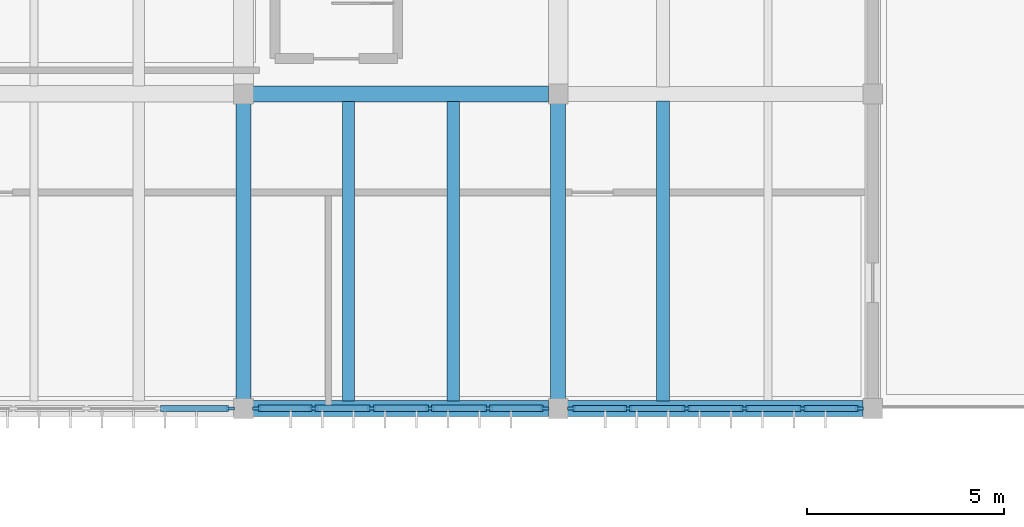
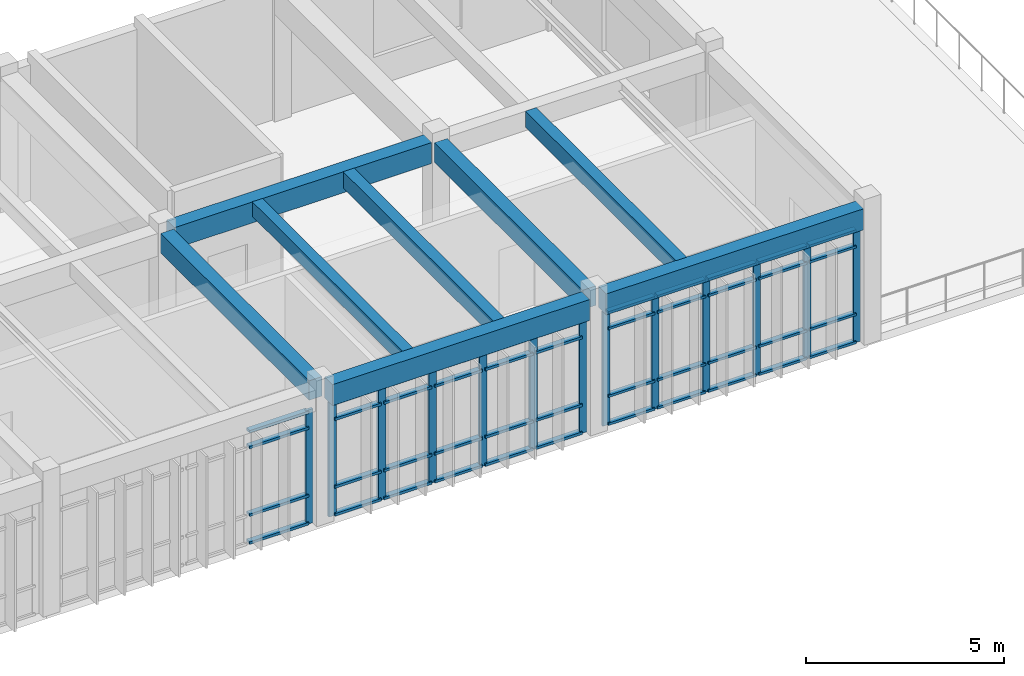
# One storey, part 27 of 72: 57 members, 8 beams, 3 elements without a shape of their own.
"""IFC4 building model written with IfcOpenShell, lengths in metres."""

from ifc_helpers import new_model, si_unit, direction, frame, origin, origin_2d, place, context, subcontext, project, spatial, rectangle, extrude, material, material_profile, profile_set, type_object, element, aggregate, save


model = new_model("IFC4")

# Units and contexts
model_context = context("Model", 3, precision=1e-05, world=origin(), true_north=direction((0.0, 1.0)))
body_context = subcontext(model_context, "Body", "Model", "MODEL_VIEW")
ifc_project = project(units=[si_unit("LENGTHUNIT", "METRE"), si_unit("AREAUNIT", "SQUARE_METRE"), si_unit("VOLUMEUNIT", "CUBIC_METRE"), si_unit("PLANEANGLEUNIT", "RADIAN"), si_unit("MASSUNIT", "GRAM", prefix="KILO")], contexts=[model_context])

# Site, building, storey
site_placement = place(None, origin())
site = spatial("IfcSite", under=ifc_project, at=site_placement, CompositionType="ELEMENT")
building_placement = place(site_placement, origin())
building = spatial("IfcBuilding", under=site, at=building_placement, Name="Tlaxcora Railside Police Headquarters", CompositionType="ELEMENT")
storey_placement = place(building_placement, frame((0.0, 0.0, 13.5)))
storey = spatial("IfcBuildingStorey", under=building, at=storey_placement, Name="L03", CompositionType="ELEMENT", Elevation=13.5)

# Curtain wall, members
ifc_material_1 = material(Name="Thermally broken low-E insulated glazing", Category="glass")
curtain_wall_type_1 = type_object("IfcCurtainWallType", Name="Unitised Curtain Wall Assembly CW-23", PredefinedType="NOTDEFINED", material=ifc_material_1)
curtain_wall_1_placement = place(storey_placement, origin())
curtain_wall_1 = element("IfcCurtainWall", 1, at=curtain_wall_1_placement, inside=storey, type_object=curtain_wall_type_1, Name="V7 L03 curtain wall 188", PredefinedType="NOTDEFINED")
ifc_material_2 = material(Name="Anodised aluminium framing", Category="aluminium")
ifc_material_profile_1 = material_profile(ifc_material_2, rectangle(XDim=0.080078125, YDim=0.219970703125, at=origin_2d()), Name="AL80X220")
ifc_profile_set_1 = profile_set([ifc_material_profile_1], Name="Anodised aluminium framing")
member_type_1 = type_object("IfcMemberType", Name="Curtain Wall Mullion CW-31", PredefinedType="MULLION", material=ifc_profile_set_1)
member_1_placement = place(storey_placement, frame((135.139892578125, 36.0, 0.0), z_axis=(0.0, 0.0, 1.0), x_axis=(0.0, 1.0, 0.0)))
member_1 = element("IfcMember", 2, at=member_1_placement, type_object=member_type_1, Name="CW mullion 1", PredefinedType="MULLION", context=body_context, shape_type="SweptSolid", body=[
    extrude(rectangle(XDim=0.080078125, YDim=0.219970703125, at=origin_2d()), origin(), (0.0, 0.0, 1.0), 3.52001953125),
])
member_2_placement = place(storey_placement, frame((136.580078125, 36.0, 0.0), z_axis=(0.0, 0.0, 1.0), x_axis=(0.0, 1.0, 0.0)))
member_2 = element("IfcMember", 3, at=member_2_placement, type_object=member_type_1, Name="CW mullion 2", PredefinedType="MULLION", context=body_context, shape_type="SweptSolid", body=[
    extrude(rectangle(XDim=0.080078125, YDim=0.219970703125, at=origin_2d()), origin(), (0.0, 0.0, 1.0), 3.52001953125),
])
member_3_placement = place(storey_placement, frame((138.06005859375, 36.0, 0.0), z_axis=(0.0, 0.0, 1.0), x_axis=(0.0, 1.0, 0.0)))
member_3 = element("IfcMember", 4, at=member_3_placement, type_object=member_type_1, Name="CW mullion 3", PredefinedType="MULLION", context=body_context, shape_type="SweptSolid", body=[
    extrude(rectangle(XDim=0.080078125, YDim=0.219970703125, at=origin_2d()), origin(), (0.0, 0.0, 1.0), 3.52001953125),
])
member_4_placement = place(storey_placement, frame((139.5400390625, 36.0, 0.0), z_axis=(0.0, 0.0, 1.0), x_axis=(0.0, 1.0, 0.0)))
member_4 = element("IfcMember", 5, at=member_4_placement, type_object=member_type_1, Name="CW mullion 4", PredefinedType="MULLION", context=body_context, shape_type="SweptSolid", body=[
    extrude(rectangle(XDim=0.080078125, YDim=0.219970703125, at=origin_2d()), origin(), (0.0, 0.0, 1.0), 3.52001953125),
])
member_5_placement = place(storey_placement, frame((141.02001953125, 36.0, 0.0), z_axis=(0.0, 0.0, 1.0), x_axis=(0.0, 1.0, 0.0)))
member_5 = element("IfcMember", 6, at=member_5_placement, type_object=member_type_1, Name="CW mullion 5", PredefinedType="MULLION", context=body_context, shape_type="SweptSolid", body=[
    extrude(rectangle(XDim=0.080078125, YDim=0.219970703125, at=origin_2d()), origin(), (0.0, 0.0, 1.0), 3.52001953125),
])
member_6_placement = place(storey_placement, frame((142.4599609375, 36.0, 0.0), z_axis=(0.0, 0.0, 1.0), x_axis=(0.0, 1.0, 0.0)))
member_6 = element("IfcMember", 7, at=member_6_placement, type_object=member_type_1, Name="CW mullion 6", PredefinedType="MULLION", context=body_context, shape_type="SweptSolid", body=[
    extrude(rectangle(XDim=0.080078125, YDim=0.219970703125, at=origin_2d()), origin(), (0.0, 0.0, 1.0), 3.52001953125),
])

curtain_wall_type_2 = type_object("IfcCurtainWallType", Name="Unitised Curtain Wall Assembly CW-38", PredefinedType="NOTDEFINED", material=ifc_material_1)
curtain_wall_2_placement = place(storey_placement, origin())
curtain_wall_2 = element("IfcCurtainWall", 8, at=curtain_wall_2_placement, inside=storey, type_object=curtain_wall_type_2, Name="V7 L03 curtain wall 189", PredefinedType="NOTDEFINED")
ifc_material_profile_2 = material_profile(ifc_material_2, rectangle(XDim=0.074951171875, YDim=0.205078125, at=origin_2d()), Name="AL75X205")
ifc_profile_set_2 = profile_set([ifc_material_profile_2], Name="Anodised aluminium framing")
member_type_2 = type_object("IfcMemberType", Name="Curtain Wall Mullion CW-32", PredefinedType="MULLION", material=ifc_profile_set_2)
member_7_placement = place(storey_placement, frame((143.137451171875, 36.0, 0.0), z_axis=(0.0, 0.0, 1.0), x_axis=(0.0, 1.0, 0.0)))
member_7 = element("IfcMember", 9, at=member_7_placement, type_object=member_type_2, Name="CW mullion 1", PredefinedType="MULLION", context=body_context, shape_type="SweptSolid", body=[
    extrude(rectangle(XDim=0.074951171875, YDim=0.205078125, at=origin_2d()), origin(), (0.0, 0.0, 1.0), 3.52001953125),
])
member_8_placement = place(storey_placement, frame((144.580078125, 36.0, 0.0), z_axis=(0.0, 0.0, 1.0), x_axis=(0.0, 1.0, 0.0)))
member_8 = element("IfcMember", 10, at=member_8_placement, type_object=member_type_2, Name="CW mullion 2", PredefinedType="MULLION", context=body_context, shape_type="SweptSolid", body=[
    extrude(rectangle(XDim=0.074951171875, YDim=0.205078125, at=origin_2d()), origin(), (0.0, 0.0, 1.0), 3.52001953125),
])
member_9_placement = place(storey_placement, frame((146.06005859375, 36.0, 0.0), z_axis=(0.0, 0.0, 1.0), x_axis=(0.0, 1.0, 0.0)))
member_9 = element("IfcMember", 11, at=member_9_placement, type_object=member_type_2, Name="CW mullion 3", PredefinedType="MULLION", context=body_context, shape_type="SweptSolid", body=[
    extrude(rectangle(XDim=0.074951171875, YDim=0.205078125, at=origin_2d()), origin(), (0.0, 0.0, 1.0), 3.52001953125),
])
member_10_placement = place(storey_placement, frame((147.5400390625, 36.0, 0.0), z_axis=(0.0, 0.0, 1.0), x_axis=(0.0, 1.0, 0.0)))
member_10 = element("IfcMember", 12, at=member_10_placement, type_object=member_type_2, Name="CW mullion 4", PredefinedType="MULLION", context=body_context, shape_type="SweptSolid", body=[
    extrude(rectangle(XDim=0.074951171875, YDim=0.205078125, at=origin_2d()), origin(), (0.0, 0.0, 1.0), 3.52001953125),
])
member_11_placement = place(storey_placement, frame((149.02001953125, 36.0, 0.0), z_axis=(0.0, 0.0, 1.0), x_axis=(0.0, 1.0, 0.0)))
member_11 = element("IfcMember", 13, at=member_11_placement, type_object=member_type_2, Name="CW mullion 5", PredefinedType="MULLION", context=body_context, shape_type="SweptSolid", body=[
    extrude(rectangle(XDim=0.074951171875, YDim=0.205078125, at=origin_2d()), origin(), (0.0, 0.0, 1.0), 3.52001953125),
])
member_12_placement = place(storey_placement, frame((150.46240234375, 36.0, 0.0), z_axis=(0.0, 0.0, 1.0), x_axis=(0.0, 1.0, 0.0)))
member_12 = element("IfcMember", 14, at=member_12_placement, type_object=member_type_2, Name="CW mullion 6", PredefinedType="MULLION", context=body_context, shape_type="SweptSolid", body=[
    extrude(rectangle(XDim=0.074951171875, YDim=0.205078125, at=origin_2d()), origin(), (0.0, 0.0, 1.0), 3.52001953125),
])

# Curtain wall, member
curtain_wall_type_3 = type_object("IfcCurtainWallType", Name="Unitised Curtain Wall Assembly CW-83", PredefinedType="NOTDEFINED", material=ifc_material_1)
curtain_wall_3_placement = place(storey_placement, origin())
curtain_wall_3 = element("IfcCurtainWall", 15, at=curtain_wall_3_placement, inside=storey, type_object=curtain_wall_type_3, Name="V7 L03 curtain wall 187", PredefinedType="NOTDEFINED")
ifc_material_profile_3 = material_profile(ifc_material_2, rectangle(XDim=0.080078125, YDim=0.2099609375, at=origin_2d()), Name="AL80X210")
ifc_profile_set_3 = profile_set([ifc_material_profile_3], Name="Anodised aluminium framing")
member_type_3 = type_object("IfcMemberType", Name="Curtain Wall Mullion CW-76", PredefinedType="MULLION", material=ifc_profile_set_3)
member_13_placement = place(storey_placement, frame((134.4599609375, 36.0, 0.0), z_axis=(0.0, 0.0, 1.0), x_axis=(0.0, 1.0, 0.0)))
member_13 = element("IfcMember", 16, at=member_13_placement, type_object=member_type_3, Name="CW mullion 5", PredefinedType="MULLION", context=body_context, shape_type="SweptSolid", body=[
    extrude(rectangle(XDim=0.080078125, YDim=0.2099609375, at=origin_2d()), origin(), (0.0, 0.0, 1.0), 3.52001953125),
])

# Member
ifc_material_profile_4 = material_profile(ifc_material_2, rectangle(XDim=0.155029296875, YDim=0.074951171875, at=origin_2d()), Name="AL75X155")
ifc_profile_set_4 = profile_set([ifc_material_profile_4], Name="Anodised aluminium framing")
member_type_4 = type_object("IfcMemberType", Name="Curtain Wall Transom CW-30", PredefinedType="USERDEFINED", material=ifc_profile_set_4)
member_14_placement = place(storey_placement, frame((143.175048828125, 36.0, 0.03759765625), z_axis=(1.0, 0.0, 0.0), x_axis=(0.0, 1.0, 0.0)))
member_14 = element("IfcMember", 17, at=member_14_placement, type_object=member_type_4, Name="CW transom 1.1", ObjectType="TRANSOM", PredefinedType="USERDEFINED", context=body_context, shape_type="SweptSolid", body=[
    extrude(rectangle(XDim=0.155029296875, YDim=0.074951171875, at=origin_2d()), origin(), (0.0, 0.0, 1.0), 1.367431640625),
])

member_15_placement = place(storey_placement, frame((143.175048828125, 36.0, 0.89990234375), z_axis=(1.0, 0.0, 0.0), x_axis=(0.0, 1.0, 0.0)))
member_15 = element("IfcMember", 18, at=member_15_placement, type_object=member_type_4, Name="CW transom 1.2", ObjectType="TRANSOM", PredefinedType="USERDEFINED", context=body_context, shape_type="SweptSolid", body=[
    extrude(rectangle(XDim=0.155029296875, YDim=0.074951171875, at=origin_2d()), origin(), (0.0, 0.0, 1.0), 1.367431640625),
])

member_16_placement = place(storey_placement, frame((143.175048828125, 36.0, 2.989990234375), z_axis=(1.0, 0.0, 0.0), x_axis=(0.0, 1.0, 0.0)))
member_16 = element("IfcMember", 19, at=member_16_placement, type_object=member_type_4, Name="CW transom 1.3", ObjectType="TRANSOM", PredefinedType="USERDEFINED", context=body_context, shape_type="SweptSolid", body=[
    extrude(rectangle(XDim=0.155029296875, YDim=0.074951171875, at=origin_2d()), origin(), (0.0, 0.0, 1.0), 1.367431640625),
])

member_17_placement = place(storey_placement, frame((143.175048828125, 36.0, 3.482421875), z_axis=(1.0, 0.0, 0.0), x_axis=(0.0, 1.0, 0.0)))
member_17 = element("IfcMember", 20, at=member_17_placement, type_object=member_type_4, Name="CW transom 1.4", ObjectType="TRANSOM", PredefinedType="USERDEFINED", context=body_context, shape_type="SweptSolid", body=[
    extrude(rectangle(XDim=0.155029296875, YDim=0.074951171875, at=origin_2d()), origin(), (0.0, 0.0, 1.0), 1.367431640625),
])

member_18_placement = place(storey_placement, frame((144.617431640625, 36.0, 0.03759765625), z_axis=(1.0, 0.0, 0.0), x_axis=(0.0, 1.0, 0.0)))
member_18 = element("IfcMember", 21, at=member_18_placement, type_object=member_type_4, Name="CW transom 2.1", ObjectType="TRANSOM", PredefinedType="USERDEFINED", context=body_context, shape_type="SweptSolid", body=[
    extrude(rectangle(XDim=0.155029296875, YDim=0.074951171875, at=origin_2d()), origin(), (0.0, 0.0, 1.0), 1.405029296875),
])

member_19_placement = place(storey_placement, frame((144.617431640625, 36.0, 0.89990234375), z_axis=(1.0, 0.0, 0.0), x_axis=(0.0, 1.0, 0.0)))
member_19 = element("IfcMember", 22, at=member_19_placement, type_object=member_type_4, Name="CW transom 2.2", ObjectType="TRANSOM", PredefinedType="USERDEFINED", context=body_context, shape_type="SweptSolid", body=[
    extrude(rectangle(XDim=0.155029296875, YDim=0.074951171875, at=origin_2d()), origin(), (0.0, 0.0, 1.0), 1.405029296875),
])

member_20_placement = place(storey_placement, frame((144.617431640625, 36.0, 2.989990234375), z_axis=(1.0, 0.0, 0.0), x_axis=(0.0, 1.0, 0.0)))
member_20 = element("IfcMember", 23, at=member_20_placement, type_object=member_type_4, Name="CW transom 2.3", ObjectType="TRANSOM", PredefinedType="USERDEFINED", context=body_context, shape_type="SweptSolid", body=[
    extrude(rectangle(XDim=0.155029296875, YDim=0.074951171875, at=origin_2d()), origin(), (0.0, 0.0, 1.0), 1.405029296875),
])

member_21_placement = place(storey_placement, frame((144.617431640625, 36.0, 3.482421875), z_axis=(1.0, 0.0, 0.0), x_axis=(0.0, 1.0, 0.0)))
member_21 = element("IfcMember", 24, at=member_21_placement, type_object=member_type_4, Name="CW transom 2.4", ObjectType="TRANSOM", PredefinedType="USERDEFINED", context=body_context, shape_type="SweptSolid", body=[
    extrude(rectangle(XDim=0.155029296875, YDim=0.074951171875, at=origin_2d()), origin(), (0.0, 0.0, 1.0), 1.405029296875),
])

member_22_placement = place(storey_placement, frame((146.097412109375, 36.0, 0.03759765625), z_axis=(1.0, 0.0, 0.0), x_axis=(0.0, 1.0, 0.0)))
member_22 = element("IfcMember", 25, at=member_22_placement, type_object=member_type_4, Name="CW transom 3.1", ObjectType="TRANSOM", PredefinedType="USERDEFINED", context=body_context, shape_type="SweptSolid", body=[
    extrude(rectangle(XDim=0.155029296875, YDim=0.074951171875, at=origin_2d()), origin(), (0.0, 0.0, 1.0), 1.405029296875),
])

member_23_placement = place(storey_placement, frame((146.097412109375, 36.0, 0.89990234375), z_axis=(1.0, 0.0, 0.0), x_axis=(0.0, 1.0, 0.0)))
member_23 = element("IfcMember", 26, at=member_23_placement, type_object=member_type_4, Name="CW transom 3.2", ObjectType="TRANSOM", PredefinedType="USERDEFINED", context=body_context, shape_type="SweptSolid", body=[
    extrude(rectangle(XDim=0.155029296875, YDim=0.074951171875, at=origin_2d()), origin(), (0.0, 0.0, 1.0), 1.405029296875),
])

member_24_placement = place(storey_placement, frame((146.097412109375, 36.0, 2.989990234375), z_axis=(1.0, 0.0, 0.0), x_axis=(0.0, 1.0, 0.0)))
member_24 = element("IfcMember", 27, at=member_24_placement, type_object=member_type_4, Name="CW transom 3.3", ObjectType="TRANSOM", PredefinedType="USERDEFINED", context=body_context, shape_type="SweptSolid", body=[
    extrude(rectangle(XDim=0.155029296875, YDim=0.074951171875, at=origin_2d()), origin(), (0.0, 0.0, 1.0), 1.405029296875),
])

member_25_placement = place(storey_placement, frame((146.097412109375, 36.0, 3.482421875), z_axis=(1.0, 0.0, 0.0), x_axis=(0.0, 1.0, 0.0)))
member_25 = element("IfcMember", 28, at=member_25_placement, type_object=member_type_4, Name="CW transom 3.4", ObjectType="TRANSOM", PredefinedType="USERDEFINED", context=body_context, shape_type="SweptSolid", body=[
    extrude(rectangle(XDim=0.155029296875, YDim=0.074951171875, at=origin_2d()), origin(), (0.0, 0.0, 1.0), 1.405029296875),
])

member_26_placement = place(storey_placement, frame((147.577392578125, 36.0, 0.03759765625), z_axis=(1.0, 0.0, 0.0), x_axis=(0.0, 1.0, 0.0)))
member_26 = element("IfcMember", 29, at=member_26_placement, type_object=member_type_4, Name="CW transom 4.1", ObjectType="TRANSOM", PredefinedType="USERDEFINED", context=body_context, shape_type="SweptSolid", body=[
    extrude(rectangle(XDim=0.155029296875, YDim=0.074951171875, at=origin_2d()), origin(), (0.0, 0.0, 1.0), 1.405029296875),
])

member_27_placement = place(storey_placement, frame((147.577392578125, 36.0, 0.89990234375), z_axis=(1.0, 0.0, 0.0), x_axis=(0.0, 1.0, 0.0)))
member_27 = element("IfcMember", 30, at=member_27_placement, type_object=member_type_4, Name="CW transom 4.2", ObjectType="TRANSOM", PredefinedType="USERDEFINED", context=body_context, shape_type="SweptSolid", body=[
    extrude(rectangle(XDim=0.155029296875, YDim=0.074951171875, at=origin_2d()), origin(), (0.0, 0.0, 1.0), 1.405029296875),
])

member_28_placement = place(storey_placement, frame((147.577392578125, 36.0, 2.989990234375), z_axis=(1.0, 0.0, 0.0), x_axis=(0.0, 1.0, 0.0)))
member_28 = element("IfcMember", 31, at=member_28_placement, type_object=member_type_4, Name="CW transom 4.3", ObjectType="TRANSOM", PredefinedType="USERDEFINED", context=body_context, shape_type="SweptSolid", body=[
    extrude(rectangle(XDim=0.155029296875, YDim=0.074951171875, at=origin_2d()), origin(), (0.0, 0.0, 1.0), 1.405029296875),
])

member_29_placement = place(storey_placement, frame((147.577392578125, 36.0, 3.482421875), z_axis=(1.0, 0.0, 0.0), x_axis=(0.0, 1.0, 0.0)))
member_29 = element("IfcMember", 32, at=member_29_placement, type_object=member_type_4, Name="CW transom 4.4", ObjectType="TRANSOM", PredefinedType="USERDEFINED", context=body_context, shape_type="SweptSolid", body=[
    extrude(rectangle(XDim=0.155029296875, YDim=0.074951171875, at=origin_2d()), origin(), (0.0, 0.0, 1.0), 1.405029296875),
])

member_30_placement = place(storey_placement, frame((149.0576171875, 36.0, 0.03759765625), z_axis=(1.0, 0.0, 0.0), x_axis=(0.0, 1.0, 0.0)))
member_30 = element("IfcMember", 33, at=member_30_placement, type_object=member_type_4, Name="CW transom 5.1", ObjectType="TRANSOM", PredefinedType="USERDEFINED", context=body_context, shape_type="SweptSolid", body=[
    extrude(rectangle(XDim=0.155029296875, YDim=0.074951171875, at=origin_2d()), origin(), (0.0, 0.0, 1.0), 1.367431640625),
])

member_31_placement = place(storey_placement, frame((149.0576171875, 36.0, 0.89990234375), z_axis=(1.0, 0.0, 0.0), x_axis=(0.0, 1.0, 0.0)))
member_31 = element("IfcMember", 34, at=member_31_placement, type_object=member_type_4, Name="CW transom 5.2", ObjectType="TRANSOM", PredefinedType="USERDEFINED", context=body_context, shape_type="SweptSolid", body=[
    extrude(rectangle(XDim=0.155029296875, YDim=0.074951171875, at=origin_2d()), origin(), (0.0, 0.0, 1.0), 1.367431640625),
])

member_32_placement = place(storey_placement, frame((149.0576171875, 36.0, 2.989990234375), z_axis=(1.0, 0.0, 0.0), x_axis=(0.0, 1.0, 0.0)))
member_32 = element("IfcMember", 35, at=member_32_placement, type_object=member_type_4, Name="CW transom 5.3", ObjectType="TRANSOM", PredefinedType="USERDEFINED", context=body_context, shape_type="SweptSolid", body=[
    extrude(rectangle(XDim=0.155029296875, YDim=0.074951171875, at=origin_2d()), origin(), (0.0, 0.0, 1.0), 1.367431640625),
])

member_33_placement = place(storey_placement, frame((149.0576171875, 36.0, 3.482421875), z_axis=(1.0, 0.0, 0.0), x_axis=(0.0, 1.0, 0.0)))
member_33 = element("IfcMember", 36, at=member_33_placement, type_object=member_type_4, Name="CW transom 5.4", ObjectType="TRANSOM", PredefinedType="USERDEFINED", context=body_context, shape_type="SweptSolid", body=[
    extrude(rectangle(XDim=0.155029296875, YDim=0.074951171875, at=origin_2d()), origin(), (0.0, 0.0, 1.0), 1.367431640625),
])

aggregate(curtain_wall_2, [member_7, member_8, member_9, member_10, member_11, member_12, member_14, member_15, member_16, member_17, member_18, member_19, member_20, member_21, member_22, member_23, member_24, member_25, member_26, member_27, member_28, member_29, member_30, member_31, member_32, member_33])

ifc_material_profile_5 = material_profile(ifc_material_2, rectangle(XDim=0.1650390625, YDim=0.080078125, at=origin_2d()), Name="AL80X165")
ifc_profile_set_5 = profile_set([ifc_material_profile_5], Name="Anodised aluminium framing")
member_type_5 = type_object("IfcMemberType", Name="Curtain Wall Transom CW-62", PredefinedType="USERDEFINED", material=ifc_profile_set_5)
member_34_placement = place(storey_placement, frame((135.179931640625, 36.0, 0.0400390625), z_axis=(1.0, 0.0, 0.0), x_axis=(0.0, 1.0, 0.0)))
member_34 = element("IfcMember", 37, at=member_34_placement, type_object=member_type_5, Name="CW transom 1.1", ObjectType="TRANSOM", PredefinedType="USERDEFINED", context=body_context, shape_type="SweptSolid", body=[
    extrude(rectangle(XDim=0.1650390625, YDim=0.080078125, at=origin_2d()), origin(), (0.0, 0.0, 1.0), 1.360107421875),
])

member_35_placement = place(storey_placement, frame((135.179931640625, 36.0, 0.89990234375), z_axis=(1.0, 0.0, 0.0), x_axis=(0.0, 1.0, 0.0)))
member_35 = element("IfcMember", 38, at=member_35_placement, type_object=member_type_5, Name="CW transom 1.2", ObjectType="TRANSOM", PredefinedType="USERDEFINED", context=body_context, shape_type="SweptSolid", body=[
    extrude(rectangle(XDim=0.1650390625, YDim=0.080078125, at=origin_2d()), origin(), (0.0, 0.0, 1.0), 1.360107421875),
])

member_36_placement = place(storey_placement, frame((135.179931640625, 36.0, 2.989990234375), z_axis=(1.0, 0.0, 0.0), x_axis=(0.0, 1.0, 0.0)))
member_36 = element("IfcMember", 39, at=member_36_placement, type_object=member_type_5, Name="CW transom 1.3", ObjectType="TRANSOM", PredefinedType="USERDEFINED", context=body_context, shape_type="SweptSolid", body=[
    extrude(rectangle(XDim=0.1650390625, YDim=0.080078125, at=origin_2d()), origin(), (0.0, 0.0, 1.0), 1.360107421875),
])

member_37_placement = place(storey_placement, frame((135.179931640625, 36.0, 3.47998046875), z_axis=(1.0, 0.0, 0.0), x_axis=(0.0, 1.0, 0.0)))
member_37 = element("IfcMember", 40, at=member_37_placement, type_object=member_type_5, Name="CW transom 1.4", ObjectType="TRANSOM", PredefinedType="USERDEFINED", context=body_context, shape_type="SweptSolid", body=[
    extrude(rectangle(XDim=0.1650390625, YDim=0.080078125, at=origin_2d()), origin(), (0.0, 0.0, 1.0), 1.360107421875),
])

member_38_placement = place(storey_placement, frame((136.6201171875, 36.0, 0.0400390625), z_axis=(1.0, 0.0, 0.0), x_axis=(0.0, 1.0, 0.0)))
member_38 = element("IfcMember", 41, at=member_38_placement, type_object=member_type_5, Name="CW transom 2.1", ObjectType="TRANSOM", PredefinedType="USERDEFINED", context=body_context, shape_type="SweptSolid", body=[
    extrude(rectangle(XDim=0.1650390625, YDim=0.080078125, at=origin_2d()), origin(), (0.0, 0.0, 1.0), 1.39990234375),
])

member_39_placement = place(storey_placement, frame((136.6201171875, 36.0, 0.89990234375), z_axis=(1.0, 0.0, 0.0), x_axis=(0.0, 1.0, 0.0)))
member_39 = element("IfcMember", 42, at=member_39_placement, type_object=member_type_5, Name="CW transom 2.2", ObjectType="TRANSOM", PredefinedType="USERDEFINED", context=body_context, shape_type="SweptSolid", body=[
    extrude(rectangle(XDim=0.1650390625, YDim=0.080078125, at=origin_2d()), origin(), (0.0, 0.0, 1.0), 1.39990234375),
])

member_40_placement = place(storey_placement, frame((136.6201171875, 36.0, 2.989990234375), z_axis=(1.0, 0.0, 0.0), x_axis=(0.0, 1.0, 0.0)))
member_40 = element("IfcMember", 43, at=member_40_placement, type_object=member_type_5, Name="CW transom 2.3", ObjectType="TRANSOM", PredefinedType="USERDEFINED", context=body_context, shape_type="SweptSolid", body=[
    extrude(rectangle(XDim=0.1650390625, YDim=0.080078125, at=origin_2d()), origin(), (0.0, 0.0, 1.0), 1.39990234375),
])

member_41_placement = place(storey_placement, frame((136.6201171875, 36.0, 3.47998046875), z_axis=(1.0, 0.0, 0.0), x_axis=(0.0, 1.0, 0.0)))
member_41 = element("IfcMember", 44, at=member_41_placement, type_object=member_type_5, Name="CW transom 2.4", ObjectType="TRANSOM", PredefinedType="USERDEFINED", context=body_context, shape_type="SweptSolid", body=[
    extrude(rectangle(XDim=0.1650390625, YDim=0.080078125, at=origin_2d()), origin(), (0.0, 0.0, 1.0), 1.39990234375),
])

member_42_placement = place(storey_placement, frame((138.10009765625, 36.0, 0.0400390625), z_axis=(1.0, 0.0, 0.0), x_axis=(0.0, 1.0, 0.0)))
member_42 = element("IfcMember", 45, at=member_42_placement, type_object=member_type_5, Name="CW transom 3.1", ObjectType="TRANSOM", PredefinedType="USERDEFINED", context=body_context, shape_type="SweptSolid", body=[
    extrude(rectangle(XDim=0.1650390625, YDim=0.080078125, at=origin_2d()), origin(), (0.0, 0.0, 1.0), 1.39990234375),
])

member_43_placement = place(storey_placement, frame((138.10009765625, 36.0, 0.89990234375), z_axis=(1.0, 0.0, 0.0), x_axis=(0.0, 1.0, 0.0)))
member_43 = element("IfcMember", 46, at=member_43_placement, type_object=member_type_5, Name="CW transom 3.2", ObjectType="TRANSOM", PredefinedType="USERDEFINED", context=body_context, shape_type="SweptSolid", body=[
    extrude(rectangle(XDim=0.1650390625, YDim=0.080078125, at=origin_2d()), origin(), (0.0, 0.0, 1.0), 1.39990234375),
])

member_44_placement = place(storey_placement, frame((138.10009765625, 36.0, 2.989990234375), z_axis=(1.0, 0.0, 0.0), x_axis=(0.0, 1.0, 0.0)))
member_44 = element("IfcMember", 47, at=member_44_placement, type_object=member_type_5, Name="CW transom 3.3", ObjectType="TRANSOM", PredefinedType="USERDEFINED", context=body_context, shape_type="SweptSolid", body=[
    extrude(rectangle(XDim=0.1650390625, YDim=0.080078125, at=origin_2d()), origin(), (0.0, 0.0, 1.0), 1.39990234375),
])

member_45_placement = place(storey_placement, frame((138.10009765625, 36.0, 3.47998046875), z_axis=(1.0, 0.0, 0.0), x_axis=(0.0, 1.0, 0.0)))
member_45 = element("IfcMember", 48, at=member_45_placement, type_object=member_type_5, Name="CW transom 3.4", ObjectType="TRANSOM", PredefinedType="USERDEFINED", context=body_context, shape_type="SweptSolid", body=[
    extrude(rectangle(XDim=0.1650390625, YDim=0.080078125, at=origin_2d()), origin(), (0.0, 0.0, 1.0), 1.39990234375),
])

member_46_placement = place(storey_placement, frame((139.580078125, 36.0, 0.0400390625), z_axis=(1.0, 0.0, 0.0), x_axis=(0.0, 1.0, 0.0)))
member_46 = element("IfcMember", 49, at=member_46_placement, type_object=member_type_5, Name="CW transom 4.1", ObjectType="TRANSOM", PredefinedType="USERDEFINED", context=body_context, shape_type="SweptSolid", body=[
    extrude(rectangle(XDim=0.1650390625, YDim=0.080078125, at=origin_2d()), origin(), (0.0, 0.0, 1.0), 1.39990234375),
])

member_47_placement = place(storey_placement, frame((139.580078125, 36.0, 0.89990234375), z_axis=(1.0, 0.0, 0.0), x_axis=(0.0, 1.0, 0.0)))
member_47 = element("IfcMember", 50, at=member_47_placement, type_object=member_type_5, Name="CW transom 4.2", ObjectType="TRANSOM", PredefinedType="USERDEFINED", context=body_context, shape_type="SweptSolid", body=[
    extrude(rectangle(XDim=0.1650390625, YDim=0.080078125, at=origin_2d()), origin(), (0.0, 0.0, 1.0), 1.39990234375),
])

member_48_placement = place(storey_placement, frame((139.580078125, 36.0, 2.989990234375), z_axis=(1.0, 0.0, 0.0), x_axis=(0.0, 1.0, 0.0)))
member_48 = element("IfcMember", 51, at=member_48_placement, type_object=member_type_5, Name="CW transom 4.3", ObjectType="TRANSOM", PredefinedType="USERDEFINED", context=body_context, shape_type="SweptSolid", body=[
    extrude(rectangle(XDim=0.1650390625, YDim=0.080078125, at=origin_2d()), origin(), (0.0, 0.0, 1.0), 1.39990234375),
])

member_49_placement = place(storey_placement, frame((139.580078125, 36.0, 3.47998046875), z_axis=(1.0, 0.0, 0.0), x_axis=(0.0, 1.0, 0.0)))
member_49 = element("IfcMember", 52, at=member_49_placement, type_object=member_type_5, Name="CW transom 4.4", ObjectType="TRANSOM", PredefinedType="USERDEFINED", context=body_context, shape_type="SweptSolid", body=[
    extrude(rectangle(XDim=0.1650390625, YDim=0.080078125, at=origin_2d()), origin(), (0.0, 0.0, 1.0), 1.39990234375),
])

member_50_placement = place(storey_placement, frame((141.06005859375, 36.0, 0.0400390625), z_axis=(1.0, 0.0, 0.0), x_axis=(0.0, 1.0, 0.0)))
member_50 = element("IfcMember", 53, at=member_50_placement, type_object=member_type_5, Name="CW transom 5.1", ObjectType="TRANSOM", PredefinedType="USERDEFINED", context=body_context, shape_type="SweptSolid", body=[
    extrude(rectangle(XDim=0.1650390625, YDim=0.080078125, at=origin_2d()), origin(), (0.0, 0.0, 1.0), 1.35986328125),
])

member_51_placement = place(storey_placement, frame((141.06005859375, 36.0, 0.89990234375), z_axis=(1.0, 0.0, 0.0), x_axis=(0.0, 1.0, 0.0)))
member_51 = element("IfcMember", 54, at=member_51_placement, type_object=member_type_5, Name="CW transom 5.2", ObjectType="TRANSOM", PredefinedType="USERDEFINED", context=body_context, shape_type="SweptSolid", body=[
    extrude(rectangle(XDim=0.1650390625, YDim=0.080078125, at=origin_2d()), origin(), (0.0, 0.0, 1.0), 1.35986328125),
])

member_52_placement = place(storey_placement, frame((141.06005859375, 36.0, 2.989990234375), z_axis=(1.0, 0.0, 0.0), x_axis=(0.0, 1.0, 0.0)))
member_52 = element("IfcMember", 55, at=member_52_placement, type_object=member_type_5, Name="CW transom 5.3", ObjectType="TRANSOM", PredefinedType="USERDEFINED", context=body_context, shape_type="SweptSolid", body=[
    extrude(rectangle(XDim=0.1650390625, YDim=0.080078125, at=origin_2d()), origin(), (0.0, 0.0, 1.0), 1.35986328125),
])

member_53_placement = place(storey_placement, frame((141.06005859375, 36.0, 3.47998046875), z_axis=(1.0, 0.0, 0.0), x_axis=(0.0, 1.0, 0.0)))
member_53 = element("IfcMember", 56, at=member_53_placement, type_object=member_type_5, Name="CW transom 5.4", ObjectType="TRANSOM", PredefinedType="USERDEFINED", context=body_context, shape_type="SweptSolid", body=[
    extrude(rectangle(XDim=0.1650390625, YDim=0.080078125, at=origin_2d()), origin(), (0.0, 0.0, 1.0), 1.35986328125),
])

aggregate(curtain_wall_1, [member_1, member_2, member_3, member_4, member_5, member_6, member_34, member_35, member_36, member_37, member_38, member_39, member_40, member_41, member_42, member_43, member_44, member_45, member_46, member_47, member_48, member_49, member_50, member_51, member_52, member_53])

ifc_material_profile_6 = material_profile(ifc_material_2, rectangle(XDim=0.159912109375, YDim=0.080078125, at=origin_2d()), Name="AL80X160")
ifc_profile_set_6 = profile_set([ifc_material_profile_6], Name="Anodised aluminium framing")
member_type_6 = type_object("IfcMemberType", Name="Curtain Wall Transom CW-82", PredefinedType="USERDEFINED", material=ifc_profile_set_6)
member_54_placement = place(storey_placement, frame((132.68994140625, 36.0, 0.0400390625), z_axis=(1.0, 0.0, 0.0), x_axis=(0.0, 1.0, 0.0)))
member_54 = element("IfcMember", 57, at=member_54_placement, type_object=member_type_6, Name="CW transom 4.1", ObjectType="TRANSOM", PredefinedType="USERDEFINED", context=body_context, shape_type="SweptSolid", body=[
    extrude(rectangle(XDim=0.159912109375, YDim=0.080078125, at=origin_2d()), origin(), (0.0, 0.0, 1.0), 1.72998046875),
])

member_55_placement = place(storey_placement, frame((132.68994140625, 36.0, 0.89990234375), z_axis=(1.0, 0.0, 0.0), x_axis=(0.0, 1.0, 0.0)))
member_55 = element("IfcMember", 58, at=member_55_placement, type_object=member_type_6, Name="CW transom 4.2", ObjectType="TRANSOM", PredefinedType="USERDEFINED", context=body_context, shape_type="SweptSolid", body=[
    extrude(rectangle(XDim=0.159912109375, YDim=0.080078125, at=origin_2d()), origin(), (0.0, 0.0, 1.0), 1.72998046875),
])

member_56_placement = place(storey_placement, frame((132.68994140625, 36.0, 2.989990234375), z_axis=(1.0, 0.0, 0.0), x_axis=(0.0, 1.0, 0.0)))
member_56 = element("IfcMember", 59, at=member_56_placement, type_object=member_type_6, Name="CW transom 4.3", ObjectType="TRANSOM", PredefinedType="USERDEFINED", context=body_context, shape_type="SweptSolid", body=[
    extrude(rectangle(XDim=0.159912109375, YDim=0.080078125, at=origin_2d()), origin(), (0.0, 0.0, 1.0), 1.72998046875),
])

member_57_placement = place(storey_placement, frame((132.68994140625, 36.0, 3.47998046875), z_axis=(1.0, 0.0, 0.0), x_axis=(0.0, 1.0, 0.0)))
member_57 = element("IfcMember", 60, at=member_57_placement, type_object=member_type_6, Name="CW transom 4.4", ObjectType="TRANSOM", PredefinedType="USERDEFINED", context=body_context, shape_type="SweptSolid", body=[
    extrude(rectangle(XDim=0.159912109375, YDim=0.080078125, at=origin_2d()), origin(), (0.0, 0.0, 1.0), 1.72998046875),
])

aggregate(curtain_wall_3, [member_13, member_54, member_55, member_56, member_57])

# Beams
ifc_material_3 = material(Name="Concrete C40/50", Category="concrete")
ifc_material_profile_7 = material_profile(ifc_material_3, rectangle(XDim=0.39990234375, YDim=0.64990234375, at=origin_2d()), Name="RC400X650")
ifc_profile_set_7 = profile_set([ifc_material_profile_7], Name="Concrete C40/50")
beam_type_1 = type_object("IfcBeamType", Name="Perimeter Spandrel Beam BM-46", PredefinedType="SPANDREL", material=ifc_profile_set_7)
for number, where, z_axis, x_axis, name in (
    (61, (135.0400390625, 36.0, 3.864990234375), (1.0, 0.0, 0.0), (0.0, 1.0, 0.0), "V7 L03 X-girder Y=36.0"),
    (62, (143.0400390625, 36.0, 3.864990234375), (1.0, 0.0, 0.0), (0.0, 1.0, 0.0), "V7 L03 X-girder Y=36.0"),
):
    element("IfcBeam", number, at=place(storey_placement, frame(where, z_axis=z_axis, x_axis=x_axis)), inside=storey, type_object=beam_type_1, Name=name, PredefinedType="SPANDREL", context=body_context, shape_type="SweptSolid", body=[
        extrude(rectangle(XDim=0.39990234375, YDim=0.64990234375, at=origin_2d()), origin(), (0.0, 0.0, 1.0), 7.52001953125),
    ])
ifc_material_profile_8 = material_profile(ifc_material_3, rectangle(XDim=0.3798828125, YDim=0.60009765625, at=origin_2d()), Name="RC380X600")
ifc_profile_set_8 = profile_set([ifc_material_profile_8], Name="Concrete C40/50")
beam_type_2 = type_object("IfcBeamType", Name="Primary Frame Girder BM-22", PredefinedType="BEAM", material=ifc_profile_set_8)
for number, where, z_axis, x_axis, name in (
    (63, (134.800048828125, 36.239990234375, 3.889892578125), (0.0, 1.0, 0.0), (-1.0, 0.0, 0.0), "V7 L03 Y-girder X=134.8"),
    (64, (142.800048828125, 36.239990234375, 3.889892578125), (0.0, 1.0, 0.0), (-1.0, 0.0, 0.0), "V7 L03 Y-girder X=142.8"),
):
    element("IfcBeam", number, at=place(storey_placement, frame(where, z_axis=z_axis, x_axis=x_axis)), inside=storey, type_object=beam_type_2, Name=name, PredefinedType="BEAM", context=body_context, shape_type="SweptSolid", body=[
        extrude(rectangle(XDim=0.3798828125, YDim=0.60009765625, at=origin_2d()), origin(), (0.0, 0.0, 1.0), 7.52001953125),
    ])
ifc_material_profile_9 = material_profile(ifc_material_3, rectangle(XDim=0.39990234375, YDim=0.64990234375, at=origin_2d()), Name="RC400X650")
ifc_profile_set_9 = profile_set([ifc_material_profile_9], Name="Concrete C40/50")
beam_type_3 = type_object("IfcBeamType", Name="Primary Frame Girder BM-41", PredefinedType="BEAM", material=ifc_profile_set_9)
beam_1_placement = place(storey_placement, frame((135.0400390625, 44.0, 3.864990234375), z_axis=(1.0, 0.0, 0.0), x_axis=(0.0, 1.0, 0.0)))
element("IfcBeam", 65, at=beam_1_placement, inside=storey, type_object=beam_type_3, Name="V7 L03 X-girder Y=44.0", PredefinedType="BEAM", context=body_context, shape_type="SweptSolid", body=[
    extrude(rectangle(XDim=0.39990234375, YDim=0.64990234375, at=origin_2d()), origin(), (0.0, 0.0, 1.0), 7.52001953125),
])
ifc_material_4 = material(Name="Concrete C35/45", Category="concrete")
ifc_material_profile_10 = material_profile(ifc_material_4, rectangle(XDim=0.300048828125, YDim=0.449951171875, at=origin_2d()), Name="RC300X450")
ifc_profile_set_10 = profile_set([ifc_material_profile_10], Name="Concrete C35/45")
beam_type_4 = type_object("IfcBeamType", Name="Secondary Floor Joist BM-27", PredefinedType="JOIST", material=ifc_profile_set_10)
beam_2_placement = place(storey_placement, frame((137.466796875, 36.19189453125, 3.965087890625), z_axis=(0.0, 1.0, 0.0), x_axis=(-1.0, 0.0, 0.0)))
element("IfcBeam", 66, at=beam_2_placement, inside=storey, type_object=beam_type_4, Name="V7 L03 floor joist X=137.47", PredefinedType="JOIST", context=body_context, shape_type="SweptSolid", body=[
    extrude(rectangle(XDim=0.300048828125, YDim=0.449951171875, at=origin_2d()), origin(), (0.0, 0.0, 1.0), 7.6162109375),
])
ifc_material_profile_11 = material_profile(ifc_material_4, rectangle(XDim=0.320068359375, YDim=0.5, at=origin_2d()), Name="RC320X500")
ifc_profile_set_11 = profile_set([ifc_material_profile_11], Name="Concrete C35/45")
beam_type_5 = type_object("IfcBeamType", Name="Secondary Floor Joist BM-88", PredefinedType="JOIST", material=ifc_profile_set_11)
beam_3_placement = place(storey_placement, frame((140.13330078125, 36.19189453125, 3.93994140625), z_axis=(0.0, 1.0, 0.0), x_axis=(-1.0, 0.0, 0.0)))
element("IfcBeam", 67, at=beam_3_placement, inside=storey, type_object=beam_type_5, Name="V7 L03 floor joist X=140.13", PredefinedType="JOIST", context=body_context, shape_type="SweptSolid", body=[
    extrude(rectangle(XDim=0.320068359375, YDim=0.5, at=origin_2d()), origin(), (0.0, 0.0, 1.0), 7.6162109375),
])
beam_4_placement = place(storey_placement, frame((145.466796875, 36.19189453125, 3.93994140625), z_axis=(0.0, 1.0, 0.0), x_axis=(-1.0, 0.0, 0.0)))
element("IfcBeam", 68, at=beam_4_placement, inside=storey, type_object=beam_type_5, Name="V7 L03 floor joist X=145.47", PredefinedType="JOIST", context=body_context, shape_type="SweptSolid", body=[
    extrude(rectangle(XDim=0.320068359375, YDim=0.5, at=origin_2d()), origin(), (0.0, 0.0, 1.0), 7.626220703125),
])

save(model, "model.ifc")
